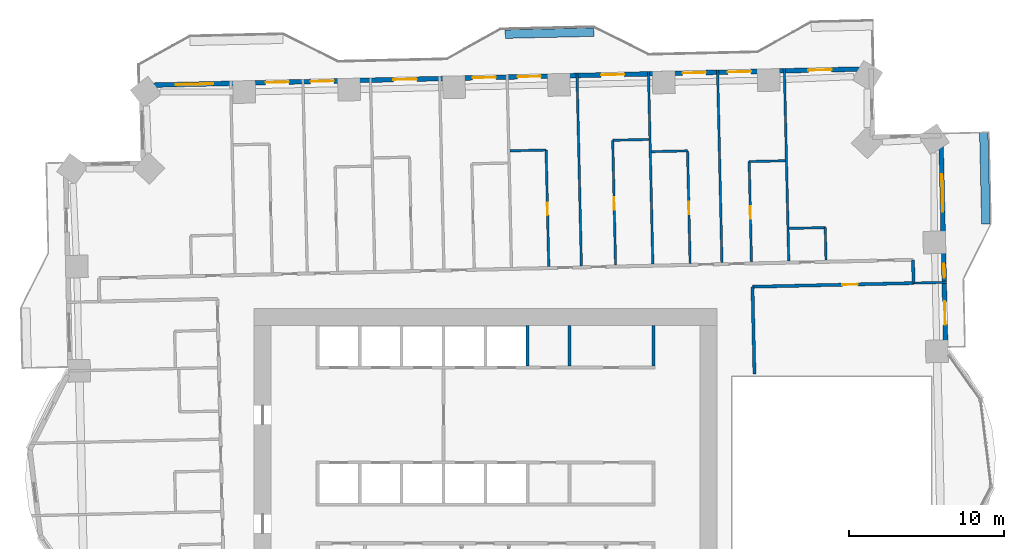
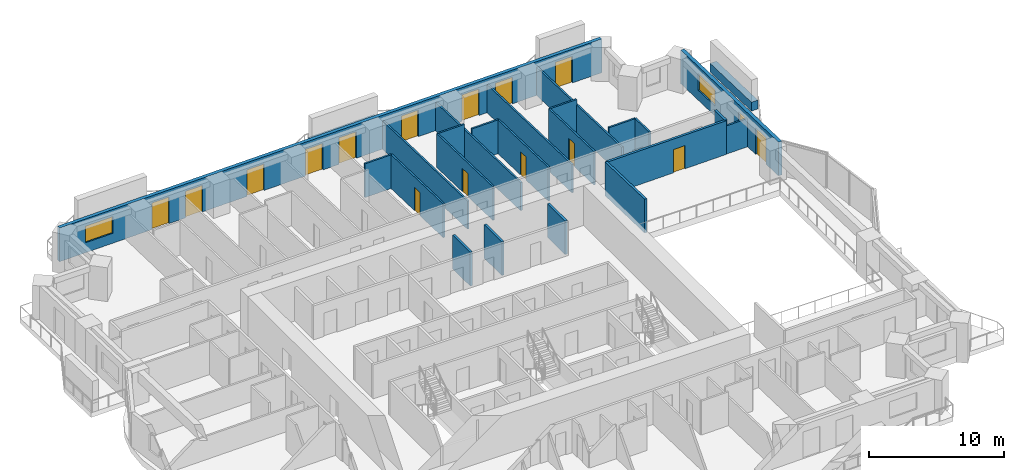
# One storey, part 12 of 17: 25 walls, 15 doors, 3 windows, 18 openings.
"""IFC4 building model written with IfcOpenShell, lengths in metres."""

from ifc_helpers import new_model, si_unit, direction, frame, frame_2d, origin, place, context, subcontext, project, spatial, rectangle, extrude, material, layer, layer_set, type_object, element, fill, save


model = new_model("IFC4")

# Units and contexts
model_context = context("Model", 3, precision=1e-05, world=origin(), true_north=direction((0.0, 1.0)))
body_context = subcontext(model_context, "Body", "Model", "MODEL_VIEW")
ifc_project = project(units=[si_unit("LENGTHUNIT", "METRE"), si_unit("AREAUNIT", "SQUARE_METRE"), si_unit("VOLUMEUNIT", "CUBIC_METRE"), si_unit("PLANEANGLEUNIT", "RADIAN"), si_unit("MASSUNIT", "GRAM", prefix="KILO")], contexts=[model_context])

# Site, building, storey
site_placement = place(None, origin())
site = spatial("IfcSite", under=ifc_project, at=site_placement, CompositionType="ELEMENT")
building_placement = place(site_placement, origin())
building = spatial("IfcBuilding", under=site, at=building_placement, Name="Mangrove Gate Tower", CompositionType="ELEMENT")
storey_placement = place(building_placement, frame((0.0, 0.0, 86.5)))
storey = spatial("IfcBuildingStorey", under=building, at=storey_placement, Name="L21", CompositionType="ELEMENT", Elevation=86.5)

# Walls
ifc_material_1 = material(Name="Concrete C32/40", Category="concrete")
ifc_layer_1 = layer(ifc_material_1, 0.199951171875)
ifc_layer_set_1 = layer_set([ifc_layer_1], Name="Core room wall 200 C32/40")
wall_type_1 = type_object("IfcWallType", Name="Core room wall 200 C32/40", PredefinedType="STANDARD", material=ifc_layer_set_1)
for number, where, z_axis, x_axis, name in (
    (1, (5.39990234375, 8.199951171875, 0.0), (0.0, 0.0, 1.0), (0.0, 1.0, 0.0), "WALL-L21-CORE-33"),
    (2, (10.800048828125, 8.199951171875, 0.0), (0.0, 0.0, 1.0), (0.0, 1.0, 0.0), "WALL-L21-CORE-34"),
):
    element("IfcWall", number, at=place(storey_placement, frame(where, z_axis=z_axis, x_axis=x_axis)), inside=storey, type_object=wall_type_1, Name=name, PredefinedType="STANDARD", context=body_context, shape_type="SweptSolid", body=[
        extrude(rectangle(XDim=2.60009765625, YDim=0.199951171875, at=frame_2d((1.300048828125, 0.0))), origin(), (0.0, 0.0, 1.0), 3.050048828125),
    ])
ifc_material_2 = material(Name="Concrete C70/85", Category="concrete")
ifc_layer_2 = layer(ifc_material_2, 0.199951171875)
ifc_layer_set_2 = layer_set([ifc_layer_2], Name="Core shaft wall 200 C70/85")
wall_type_2 = type_object("IfcWallType", Name="Core shaft wall 200 C70/85", PredefinedType="SHEAR", material=ifc_layer_set_2)
wall_1_placement = place(storey_placement, frame((2.699951171875, 8.199951171875, 0.0), z_axis=(0.0, 0.0, 1.0), x_axis=(0.0, 1.0, 0.0)))
element("IfcWall", 3, at=wall_1_placement, inside=storey, type_object=wall_type_2, Name="WALL-L21-CORE-32", PredefinedType="SHEAR", context=body_context, shape_type="SweptSolid", body=[
    extrude(rectangle(XDim=2.60009765625, YDim=0.199951171875, at=frame_2d((1.300048828125, 0.0))), origin(), (0.0, 0.0, 1.0), 3.050048828125),
])
ifc_material_3 = material(Name="Gypsum board on steel stud, EI 60", Category="steel")
ifc_layer_3 = layer(ifc_material_3, 0.199951171875)
ifc_layer_set_3 = layer_set([ifc_layer_3], Name="Corridor wall EI 60")
wall_type_3 = type_object("IfcWallType", Name="Corridor wall EI 60", PredefinedType="PARTITIONING", material=ifc_layer_set_3)
wall_2_placement = place(storey_placement, frame((17.306884765625, 7.68603515625, 0.0), z_axis=(0.0, 0.0, 1.0), x_axis=(-0.022584272568, 0.999744942789, 0.0)))
element("IfcWall", 4, at=wall_2_placement, inside=storey, type_object=wall_type_3, Name="WALL-L21-051", PredefinedType="PARTITIONING", context=body_context, shape_type="SweptSolid", body=[
    extrude(rectangle(XDim=5.621337890625, YDim=0.199951171875, at=frame_2d((2.810546875, 0.0))), origin(), (0.0, 0.0, 1.0), 3.050048828125),
])

# Wall, opening, door
wall_3_placement = place(storey_placement, frame((17.176025390625, 13.305908203125, 0.0), z_axis=(0.0, 0.0, 1.0), x_axis=(0.999741057438, 0.022755616292, 0.0)))
wall_3 = element("IfcWall", 5, at=wall_3_placement, inside=storey, type_object=wall_type_3, Name="WALL-L21-058", PredefinedType="PARTITIONING", context=body_context, shape_type="SweptSolid", body=[
    extrude(rectangle(XDim=10.374755859375, YDim=0.199951171875, at=frame_2d((5.1875, 0.0))), origin(), (0.0, 0.0, 1.0), 3.050048828125),
])
opening_1_placement = place(wall_3_placement, frame((5.782958984375, 0.0, 0.0)))
opening_1 = element("IfcOpeningElement", 6, at=opening_1_placement, cuts=wall_3, Name="Opening AD", PredefinedType="OPENING", context=body_context, shape_type="SweptSolid", body=[
    extrude(rectangle(XDim=1.0, YDim=2.10009765625, at=frame_2d((0.5, 1.050048828125))), frame((0.0, 0.10986328125, 0.0), z_axis=(0.0, -1.0, 0.0), x_axis=(1.0, 0.0, 0.0)), (0.0, 0.0, 1.0), 0.219970703125),
])
ifc_material_4 = material(Name="Timber door leaf", Category="wood")
door_type_1 = type_object("IfcDoorType", Name="Amenity door 1000", OperationType="SINGLE_SWING_LEFT", PredefinedType="DOOR", material=ifc_material_4)
door_1_placement = place(opening_1_placement, origin())
door_1 = element("IfcDoor", 7, at=door_1_placement, inside=storey, type_object=door_type_1, Name="DOOR-L21-LNG-c3a", OperationType="SINGLE_SWING_RIGHT", OverallHeight=2.10009765625, OverallWidth=1.0, PredefinedType="DOOR", context=body_context, shape_type="SweptSolid", body=[
    extrude(rectangle(XDim=1.0, YDim=2.10009765625, at=frame_2d((0.5, 1.050048828125))), frame((0.0, 0.02490234375, 0.0), z_axis=(0.0, -1.0, 0.0), x_axis=(1.0, 0.0, 0.0)), (0.0, 0.0, 1.0), 0.050048828125),
])
fill(opening_1, door_1)

# Wall
wall_4_placement = place(storey_placement, frame((27.547119140625, 13.5419921875, 0.0), z_axis=(0.0, 0.0, 1.0), x_axis=(-0.02279537805, 0.999740151609, 0.0)))
element("IfcWall", 8, at=wall_4_placement, inside=storey, type_object=wall_type_3, Name="WALL-L21-059", PredefinedType="PARTITIONING", context=body_context, shape_type="SweptSolid", body=[
    extrude(rectangle(XDim=1.49951171875, YDim=0.199951171875, at=frame_2d((0.749755859375, 0.0))), origin(), (0.0, 0.0, 1.0), 3.050048828125),
])

# Wall, openings, door, windows
ifc_material_5 = material(Name="Limestone", Category="masonry")
ifc_layer_4 = layer(ifc_material_5, 0.0400390625, Name="Limestone cladding")
ifc_material_6 = material(Name="Ventilated air gap")
ifc_layer_5 = layer(ifc_material_6, 0.0400390625, Name="Ventilated cavity")
ifc_material_7 = material(Name="Mineral wool insulation")
ifc_layer_6 = layer(ifc_material_7, 0.06005859375, Name="Insulation")
ifc_material_8 = material(Name="Breather membrane")
ifc_layer_7 = layer(ifc_material_8, 0.001953125, Name="Breather membrane")
ifc_material_9 = material(Name="Concrete C20/25 blockwork", Category="masonry")
ifc_layer_8 = layer(ifc_material_9, 0.14990234375, Name="Blockwork backing wall")
ifc_material_10 = material(Name="Gypsum plaster")
ifc_layer_9 = layer(ifc_material_10, 0.008056640625, Name="Internal plaster")
ifc_layer_set_4 = layer_set([ifc_layer_4, ifc_layer_5, ifc_layer_6, ifc_layer_7, ifc_layer_8, ifc_layer_9], Name="External wall 300 limestone cladding")
wall_type_4 = type_object("IfcWallType", Name="External wall 300 limestone cladding", PredefinedType="SOLIDWALL", material=ifc_layer_set_4)
wall_5_placement = place(storey_placement, frame((29.6240234375, 9.10791015625, 0.0), z_axis=(0.0, 0.0, 1.0), x_axis=(-0.022679601751, 0.999742784752, 0.0)))
wall_5 = element("IfcWall", 9, at=wall_5_placement, inside=storey, type_object=wall_type_4, Name="WALL-L21-E2", PredefinedType="SOLIDWALL", context=body_context, shape_type="SweptSolid", body=[
    extrude(rectangle(XDim=13.9296875, YDim=0.300048828125, at=frame_2d((6.96484375, 0.0))), origin(), (0.0, 0.0, 1.0), 3.050048828125),
])
opening_2_placement = place(wall_5_placement, frame((1.75390625, 0.0, 0.0)))
opening_2 = element("IfcOpeningElement", 10, at=opening_2_placement, cuts=wall_5, Name="Opening BD1", PredefinedType="OPENING", context=body_context, shape_type="SweptSolid", body=[
    extrude(rectangle(XDim=1.5, YDim=2.39990234375, at=frame_2d((0.75, 1.199951171875))), frame((0.0, 0.159912109375, 0.0), z_axis=(0.0, -1.0, 0.0), x_axis=(1.0, 0.0, 0.0)), (0.0, 0.0, 1.0), 0.320068359375),
])
opening_3_placement = place(wall_5_placement, frame((4.780029296875, 0.0, 0.89990234375)))
opening_3 = element("IfcOpeningElement", 11, at=opening_3_placement, cuts=wall_5, Name="Opening W5", PredefinedType="OPENING", context=body_context, shape_type="SweptSolid", body=[
    extrude(rectangle(XDim=0.89990234375, YDim=1.5, at=frame_2d((0.449951171875, 0.75))), frame((0.0, 0.159912109375, 0.0), z_axis=(0.0, -1.0, 0.0), x_axis=(1.0, 0.0, 0.0)), (0.0, 0.0, 1.0), 0.320068359375),
])
opening_4_placement = place(wall_5_placement, frame((9.04296875, 0.0, 0.89990234375)))
opening_4 = element("IfcOpeningElement", 12, at=opening_4_placement, cuts=wall_5, Name="Opening W2", PredefinedType="OPENING", context=body_context, shape_type="SweptSolid", body=[
    extrude(rectangle(XDim=2.39990234375, YDim=1.5, at=frame_2d((1.199951171875, 0.75))), frame((0.0, 0.159912109375, 0.0), z_axis=(0.0, -1.0, 0.0), x_axis=(1.0, 0.0, 0.0)), (0.0, 0.0, 1.0), 0.320068359375),
])
ifc_material_11 = material(Name="Aluminium frame with laminated clear glass", Category="aluminium")
door_type_2 = type_object("IfcDoorType", Name="Balcony sliding door 1500x2400", OperationType="SLIDING_TO_LEFT", PredefinedType="DOOR", material=ifc_material_11)
door_2_placement = place(opening_2_placement, origin())
door_2 = element("IfcDoor", 13, at=door_2_placement, inside=storey, type_object=door_type_2, Name="DOOR-L21-E2-1", OperationType="SLIDING_TO_LEFT", OverallHeight=2.39990234375, OverallWidth=1.5, PredefinedType="DOOR", context=body_context, shape_type="SweptSolid", body=[
    extrude(rectangle(XDim=1.5, YDim=2.39990234375, at=frame_2d((0.75, 1.199951171875))), frame((0.0, 0.02490234375, 0.0), z_axis=(0.0, -1.0, 0.0), x_axis=(1.0, 0.0, 0.0)), (0.0, 0.0, 1.0), 0.050048828125),
])
fill(opening_2, door_2)
ifc_material_12 = material(Name="Aluminium frame with double-glazed low-e glass", Category="aluminium")
window_type_1 = type_object("IfcWindowType", Name="Corner room window 2400x1500", PartitioningType="DOUBLE_PANEL_VERTICAL", PredefinedType="WINDOW", material=ifc_material_12)
window_1_placement = place(opening_4_placement, origin())
window_1 = element("IfcWindow", 14, at=window_1_placement, inside=storey, type_object=window_type_1, Name="WIN-L21-E2-3", OverallHeight=1.5, OverallWidth=2.39990234375, PartitioningType="DOUBLE_PANEL_VERTICAL", PredefinedType="WINDOW", context=body_context, shape_type="SweptSolid", body=[
    extrude(rectangle(XDim=2.39990234375, YDim=1.5, at=frame_2d((1.199951171875, 0.75))), frame((0.0, 0.030029296875, 0.0), z_axis=(0.0, -1.0, 0.0), x_axis=(1.0, 0.0, 0.0)), (0.0, 0.0, 1.0), 0.06005859375),
])
fill(opening_4, window_1)
ifc_material_13 = material(Name="Aluminium frame with double-glazed low-e glass", Category="aluminium")
window_type_2 = type_object("IfcWindowType", Name="Narrow window 900x1500", PartitioningType="SINGLE_PANEL", PredefinedType="WINDOW", material=ifc_material_13)
window_2_placement = place(opening_3_placement, origin())
window_2 = element("IfcWindow", 15, at=window_2_placement, inside=storey, type_object=window_type_2, Name="WIN-L21-E2-2", OverallHeight=1.5, OverallWidth=0.89990234375, PartitioningType="SINGLE_PANEL", PredefinedType="WINDOW", context=body_context, shape_type="SweptSolid", body=[
    extrude(rectangle(XDim=0.89990234375, YDim=1.5, at=frame_2d((0.449951171875, 0.75))), frame((0.0, 0.030029296875, 0.0), z_axis=(0.0, -1.0, 0.0), x_axis=(1.0, 0.0, 0.0)), (0.0, 0.0, 1.0), 0.06005859375),
])
fill(opening_3, window_2)

# Wall, openings, doors, window
wall_6_placement = place(storey_placement, frame((24.80908203125, 27.3330078125, 0.0), z_axis=(0.0, 0.0, 1.0), x_axis=(-0.999742489858, -0.022692597327, 0.0)))
wall_6 = element("IfcWall", 16, at=wall_6_placement, inside=storey, type_object=wall_type_4, Name="WALL-L21-N5", PredefinedType="SOLIDWALL", context=body_context, shape_type="SweptSolid", body=[
    extrude(rectangle(XDim=46.97216796875, YDim=0.300048828125, at=frame_2d((23.486083984375, 0.0))), origin(), (0.0, 0.0, 1.0), 3.050048828125),
])
opening_5_placement = place(wall_6_placement, frame((2.535888671875, 0.0, 0.0)))
opening_5 = element("IfcOpeningElement", 17, at=opening_5_placement, cuts=wall_6, Name="Opening BD1", PredefinedType="OPENING", context=body_context, shape_type="SweptSolid", body=[
    extrude(rectangle(XDim=1.5, YDim=2.39990234375, at=frame_2d((0.75, 1.199951171875))), frame((0.0, 0.159912109375, 0.0), z_axis=(0.0, -1.0, 0.0), x_axis=(1.0, 0.0, 0.0)), (0.0, 0.0, 1.0), 0.320068359375),
])
opening_6_placement = place(wall_6_placement, frame((7.72607421875, 0.0, 0.0)))
opening_6 = element("IfcOpeningElement", 18, at=opening_6_placement, cuts=wall_6, Name="Opening BD1", PredefinedType="OPENING", context=body_context, shape_type="SweptSolid", body=[
    extrude(rectangle(XDim=1.5, YDim=2.39990234375, at=frame_2d((0.75, 1.199951171875))), frame((0.0, 0.159912109375, 0.0), z_axis=(0.0, -1.0, 0.0), x_axis=(1.0, 0.0, 0.0)), (0.0, 0.0, 1.0), 0.320068359375),
])
opening_7_placement = place(wall_6_placement, frame((10.626953125, 0.0, 0.0)))
opening_7 = element("IfcOpeningElement", 19, at=opening_7_placement, cuts=wall_6, Name="Opening BD1", PredefinedType="OPENING", context=body_context, shape_type="SweptSolid", body=[
    extrude(rectangle(XDim=1.5, YDim=2.39990234375, at=frame_2d((0.75, 1.199951171875))), frame((0.0, 0.159912109375, 0.0), z_axis=(0.0, -1.0, 0.0), x_axis=(1.0, 0.0, 0.0)), (0.0, 0.0, 1.0), 0.320068359375),
])
opening_8_placement = place(wall_6_placement, frame((15.8720703125, 0.0, 0.0)))
opening_8 = element("IfcOpeningElement", 20, at=opening_8_placement, cuts=wall_6, Name="Opening BD1", PredefinedType="OPENING", context=body_context, shape_type="SweptSolid", body=[
    extrude(rectangle(XDim=1.5, YDim=2.39990234375, at=frame_2d((0.75, 1.199951171875))), frame((0.0, 0.159912109375, 0.0), z_axis=(0.0, -1.0, 0.0), x_axis=(1.0, 0.0, 0.0)), (0.0, 0.0, 1.0), 0.320068359375),
])
opening_9_placement = place(wall_6_placement, frame((21.2529296875, 0.0, 0.0)))
opening_9 = element("IfcOpeningElement", 21, at=opening_9_placement, cuts=wall_6, Name="Opening BD1", PredefinedType="OPENING", context=body_context, shape_type="SweptSolid", body=[
    extrude(rectangle(XDim=1.5, YDim=2.39990234375, at=frame_2d((0.75, 1.199951171875))), frame((0.0, 0.159912109375, 0.0), z_axis=(0.0, -1.0, 0.0), x_axis=(1.0, 0.0, 0.0)), (0.0, 0.0, 1.0), 0.320068359375),
])
opening_10_placement = place(wall_6_placement, frame((24.155029296875, 0.0, 0.0)))
opening_10 = element("IfcOpeningElement", 22, at=opening_10_placement, cuts=wall_6, Name="Opening BD1", PredefinedType="OPENING", context=body_context, shape_type="SweptSolid", body=[
    extrude(rectangle(XDim=1.5, YDim=2.39990234375, at=frame_2d((0.75, 1.199951171875))), frame((0.0, 0.159912109375, 0.0), z_axis=(0.0, -1.0, 0.0), x_axis=(1.0, 0.0, 0.0)), (0.0, 0.0, 1.0), 0.320068359375),
])
opening_11_placement = place(wall_6_placement, frame((29.2470703125, 0.0, 0.0)))
opening_11 = element("IfcOpeningElement", 23, at=opening_11_placement, cuts=wall_6, Name="Opening BD1", PredefinedType="OPENING", context=body_context, shape_type="SweptSolid", body=[
    extrude(rectangle(XDim=1.5, YDim=2.39990234375, at=frame_2d((0.75, 1.199951171875))), frame((0.0, 0.159912109375, 0.0), z_axis=(0.0, -1.0, 0.0), x_axis=(1.0, 0.0, 0.0)), (0.0, 0.0, 1.0), 0.320068359375),
])
opening_12_placement = place(wall_6_placement, frame((34.5810546875, 0.0, 0.0)))
opening_12 = element("IfcOpeningElement", 24, at=opening_12_placement, cuts=wall_6, Name="Opening BD1", PredefinedType="OPENING", context=body_context, shape_type="SweptSolid", body=[
    extrude(rectangle(XDim=1.5, YDim=2.39990234375, at=frame_2d((0.75, 1.199951171875))), frame((0.0, 0.159912109375, 0.0), z_axis=(0.0, -1.0, 0.0), x_axis=(1.0, 0.0, 0.0)), (0.0, 0.0, 1.0), 0.320068359375),
])
opening_13_placement = place(wall_6_placement, frame((37.48291015625, 0.0, 0.0)))
opening_13 = element("IfcOpeningElement", 25, at=opening_13_placement, cuts=wall_6, Name="Opening BD1", PredefinedType="OPENING", context=body_context, shape_type="SweptSolid", body=[
    extrude(rectangle(XDim=1.5, YDim=2.39990234375, at=frame_2d((0.75, 1.199951171875))), frame((0.0, 0.159912109375, 0.0), z_axis=(0.0, -1.0, 0.0), x_axis=(1.0, 0.0, 0.0)), (0.0, 0.0, 1.0), 0.320068359375),
])
opening_14_placement = place(wall_6_placement, frame((42.35009765625, 0.0, 0.89990234375)))
opening_14 = element("IfcOpeningElement", 26, at=opening_14_placement, cuts=wall_6, Name="Opening W2", PredefinedType="OPENING", context=body_context, shape_type="SweptSolid", body=[
    extrude(rectangle(XDim=2.39990234375, YDim=1.5, at=frame_2d((1.199951171875, 0.75))), frame((0.0, 0.159912109375, 0.0), z_axis=(0.0, -1.0, 0.0), x_axis=(1.0, 0.0, 0.0)), (0.0, 0.0, 1.0), 0.320068359375),
])
door_3_placement = place(opening_5_placement, origin())
door_3 = element("IfcDoor", 27, at=door_3_placement, inside=storey, type_object=door_type_2, Name="DOOR-L21-N5-1", OperationType="SLIDING_TO_LEFT", OverallHeight=2.39990234375, OverallWidth=1.5, PredefinedType="DOOR", context=body_context, shape_type="SweptSolid", body=[
    extrude(rectangle(XDim=1.5, YDim=2.39990234375, at=frame_2d((0.75, 1.199951171875))), frame((0.0, 0.02490234375, 0.0), z_axis=(0.0, -1.0, 0.0), x_axis=(1.0, 0.0, 0.0)), (0.0, 0.0, 1.0), 0.050048828125),
])
fill(opening_5, door_3)
door_4_placement = place(opening_6_placement, origin())
door_4 = element("IfcDoor", 28, at=door_4_placement, inside=storey, type_object=door_type_2, Name="DOOR-L21-N5-2", OperationType="SLIDING_TO_LEFT", OverallHeight=2.39990234375, OverallWidth=1.5, PredefinedType="DOOR", context=body_context, shape_type="SweptSolid", body=[
    extrude(rectangle(XDim=1.5, YDim=2.39990234375, at=frame_2d((0.75, 1.199951171875))), frame((0.0, 0.02490234375, 0.0), z_axis=(0.0, -1.0, 0.0), x_axis=(1.0, 0.0, 0.0)), (0.0, 0.0, 1.0), 0.050048828125),
])
fill(opening_6, door_4)
door_5_placement = place(opening_7_placement, origin())
door_5 = element("IfcDoor", 29, at=door_5_placement, inside=storey, type_object=door_type_2, Name="DOOR-L21-N5-3", OperationType="SLIDING_TO_LEFT", OverallHeight=2.39990234375, OverallWidth=1.5, PredefinedType="DOOR", context=body_context, shape_type="SweptSolid", body=[
    extrude(rectangle(XDim=1.5, YDim=2.39990234375, at=frame_2d((0.75, 1.199951171875))), frame((0.0, 0.02490234375, 0.0), z_axis=(0.0, -1.0, 0.0), x_axis=(1.0, 0.0, 0.0)), (0.0, 0.0, 1.0), 0.050048828125),
])
fill(opening_7, door_5)
door_6_placement = place(opening_8_placement, origin())
door_6 = element("IfcDoor", 30, at=door_6_placement, inside=storey, type_object=door_type_2, Name="DOOR-L21-N5-4", OperationType="SLIDING_TO_LEFT", OverallHeight=2.39990234375, OverallWidth=1.5, PredefinedType="DOOR", context=body_context, shape_type="SweptSolid", body=[
    extrude(rectangle(XDim=1.5, YDim=2.39990234375, at=frame_2d((0.75, 1.199951171875))), frame((0.0, 0.02490234375, 0.0), z_axis=(0.0, -1.0, 0.0), x_axis=(1.0, 0.0, 0.0)), (0.0, 0.0, 1.0), 0.050048828125),
])
fill(opening_8, door_6)
door_7_placement = place(opening_9_placement, origin())
door_7 = element("IfcDoor", 31, at=door_7_placement, inside=storey, type_object=door_type_2, Name="DOOR-L21-N5-5", OperationType="SLIDING_TO_LEFT", OverallHeight=2.39990234375, OverallWidth=1.5, PredefinedType="DOOR", context=body_context, shape_type="SweptSolid", body=[
    extrude(rectangle(XDim=1.5, YDim=2.39990234375, at=frame_2d((0.75, 1.199951171875))), frame((0.0, 0.02490234375, 0.0), z_axis=(0.0, -1.0, 0.0), x_axis=(1.0, 0.0, 0.0)), (0.0, 0.0, 1.0), 0.050048828125),
])
fill(opening_9, door_7)
door_8_placement = place(opening_10_placement, origin())
door_8 = element("IfcDoor", 32, at=door_8_placement, inside=storey, type_object=door_type_2, Name="DOOR-L21-N5-6", OperationType="SLIDING_TO_LEFT", OverallHeight=2.39990234375, OverallWidth=1.5, PredefinedType="DOOR", context=body_context, shape_type="SweptSolid", body=[
    extrude(rectangle(XDim=1.5, YDim=2.39990234375, at=frame_2d((0.75, 1.199951171875))), frame((0.0, 0.02490234375, 0.0), z_axis=(0.0, -1.0, 0.0), x_axis=(1.0, 0.0, 0.0)), (0.0, 0.0, 1.0), 0.050048828125),
])
fill(opening_10, door_8)
door_9_placement = place(opening_11_placement, origin())
door_9 = element("IfcDoor", 33, at=door_9_placement, inside=storey, type_object=door_type_2, Name="DOOR-L21-N5-7", OperationType="SLIDING_TO_LEFT", OverallHeight=2.39990234375, OverallWidth=1.5, PredefinedType="DOOR", context=body_context, shape_type="SweptSolid", body=[
    extrude(rectangle(XDim=1.5, YDim=2.39990234375, at=frame_2d((0.75, 1.199951171875))), frame((0.0, 0.02490234375, 0.0), z_axis=(0.0, -1.0, 0.0), x_axis=(1.0, 0.0, 0.0)), (0.0, 0.0, 1.0), 0.050048828125),
])
fill(opening_11, door_9)
door_10_placement = place(opening_12_placement, origin())
door_10 = element("IfcDoor", 34, at=door_10_placement, inside=storey, type_object=door_type_2, Name="DOOR-L21-N5-8", OperationType="SLIDING_TO_LEFT", OverallHeight=2.39990234375, OverallWidth=1.5, PredefinedType="DOOR", context=body_context, shape_type="SweptSolid", body=[
    extrude(rectangle(XDim=1.5, YDim=2.39990234375, at=frame_2d((0.75, 1.199951171875))), frame((0.0, 0.02490234375, 0.0), z_axis=(0.0, -1.0, 0.0), x_axis=(1.0, 0.0, 0.0)), (0.0, 0.0, 1.0), 0.050048828125),
])
fill(opening_12, door_10)
door_11_placement = place(opening_13_placement, origin())
door_11 = element("IfcDoor", 35, at=door_11_placement, inside=storey, type_object=door_type_2, Name="DOOR-L21-N5-9", OperationType="SLIDING_TO_LEFT", OverallHeight=2.39990234375, OverallWidth=1.5, PredefinedType="DOOR", context=body_context, shape_type="SweptSolid", body=[
    extrude(rectangle(XDim=1.5, YDim=2.39990234375, at=frame_2d((0.75, 1.199951171875))), frame((0.0, 0.02490234375, 0.0), z_axis=(0.0, -1.0, 0.0), x_axis=(1.0, 0.0, 0.0)), (0.0, 0.0, 1.0), 0.050048828125),
])
fill(opening_13, door_11)
window_3_placement = place(opening_14_placement, origin())
window_3 = element("IfcWindow", 36, at=window_3_placement, inside=storey, type_object=window_type_1, Name="WIN-L21-N5-10", OverallHeight=1.5, OverallWidth=2.39990234375, PartitioningType="DOUBLE_PANEL_VERTICAL", PredefinedType="WINDOW", context=body_context, shape_type="SweptSolid", body=[
    extrude(rectangle(XDim=2.39990234375, YDim=1.5, at=frame_2d((1.199951171875, 0.75))), frame((0.0, 0.030029296875, 0.0), z_axis=(0.0, -1.0, 0.0), x_axis=(1.0, 0.0, 0.0)), (0.0, 0.0, 1.0), 0.06005859375),
])
fill(opening_14, window_3)

# Wall
ifc_material_14 = material(Name="Gypsum board on steel stud, EI 60", Category="steel")
ifc_layer_10 = layer(ifc_material_14, 0.14990234375)
ifc_layer_set_5 = layer_set([ifc_layer_10], Name="Party wall 150 EI 60")
wall_type_5 = type_object("IfcWallType", Name="Party wall 150 EI 60", PredefinedType="PARTITIONING", material=ifc_layer_set_5)
wall_7_placement = place(storey_placement, frame((27.548095703125, 13.5419921875, 0.0), z_axis=(0.0, 0.0, 1.0), x_axis=(0.999743730464, 0.022637875276, 0.0)))
element("IfcWall", 37, at=wall_7_placement, inside=storey, type_object=wall_type_5, Name="WALL-L21-060", PredefinedType="PARTITIONING", context=body_context, shape_type="SweptSolid", body=[
    extrude(rectangle(XDim=2.12451171875, YDim=0.14990234375, at=frame_2d((1.062255859375, 0.0))), origin(), (0.0, 0.0, 1.0), 2.550048828125),
])

# Wall, opening, door
wall_8_placement = place(storey_placement, frame((4.06689453125, 14.60888671875, 0.0), z_axis=(0.0, 0.0, 1.0), x_axis=(-0.022786475911, 0.99974035455, 0.0)))
wall_8 = element("IfcWall", 38, at=wall_8_placement, inside=storey, type_object=wall_type_5, Name="WALL-L21-072", PredefinedType="PARTITIONING", context=body_context, shape_type="SweptSolid", body=[
    extrude(rectangle(XDim=7.5, YDim=0.14990234375, at=frame_2d((3.75, 0.0))), origin(), (0.0, 0.0, 1.0), 3.050048828125),
])
opening_15_placement = place(wall_8_placement, frame((3.300048828125, 0.0, 0.0)))
opening_15 = element("IfcOpeningElement", 39, at=opening_15_placement, cuts=wall_8, Name="Opening ED", PredefinedType="OPENING", context=body_context, shape_type="SweptSolid", body=[
    extrude(rectangle(XDim=0.800048828125, YDim=2.10009765625, at=frame_2d((0.39990234375, 1.050048828125))), frame((0.0, 0.0849609375, 0.0), z_axis=(0.0, -1.0, 0.0), x_axis=(1.0, 0.0, 0.0)), (0.0, 0.0, 1.0), 0.169921875),
])
ifc_material_15 = material(Name="Timber door leaf", Category="wood")
door_type_3 = type_object("IfcDoorType", Name="En-suite door 800", OperationType="SINGLE_SWING_LEFT", PredefinedType="DOOR", material=ifc_material_15)
door_12_placement = place(opening_15_placement, origin())
door_12 = element("IfcDoor", 40, at=door_12_placement, inside=storey, type_object=door_type_3, Name="DOOR-L21-ENS-c412", OperationType="SINGLE_SWING_RIGHT", OverallHeight=2.10009765625, OverallWidth=0.800048828125, PredefinedType="DOOR", context=body_context, shape_type="SweptSolid", body=[
    extrude(rectangle(XDim=0.800048828125, YDim=2.10009765625, at=frame_2d((0.39990234375, 1.050048828125))), frame((0.0, 0.02490234375, 0.0), z_axis=(0.0, -1.0, 0.0), x_axis=(1.0, 0.0, 0.0)), (0.0, 0.0, 1.0), 0.050048828125),
])
fill(opening_15, door_12)

# Wall
wall_9_placement = place(storey_placement, frame((6.166015625, 14.656982421875, 0.0), z_axis=(0.0, 0.0, 1.0), x_axis=(-0.022661475803, 0.999743195783, 0.0)))
element("IfcWall", 41, at=wall_9_placement, inside=storey, type_object=wall_type_5, Name="WALL-L21-073", PredefinedType="PARTITIONING", context=body_context, shape_type="SweptSolid", body=[
    extrude(rectangle(XDim=12.400146484375, YDim=0.14990234375, at=frame_2d((6.2001953125, 0.0))), origin(), (0.0, 0.0, 1.0), 2.550048828125),
])

# Wall, opening, door
wall_10_placement = place(storey_placement, frame((8.365966796875, 14.70703125, 0.0), z_axis=(0.0, 0.0, 1.0), x_axis=(-0.022771820566, 0.999740688473, 0.0)))
wall_10 = element("IfcWall", 42, at=wall_10_placement, inside=storey, type_object=wall_type_5, Name="WALL-L21-074", PredefinedType="PARTITIONING", context=body_context, shape_type="SweptSolid", body=[
    extrude(rectangle(XDim=8.0302734375, YDim=0.14990234375, at=frame_2d((4.01513671875, 0.0))), origin(), (0.0, 0.0, 1.0), 3.050048828125),
])
opening_16_placement = place(wall_10_placement, frame((3.56494140625, 0.0, 0.0)))
opening_16 = element("IfcOpeningElement", 43, at=opening_16_placement, cuts=wall_10, Name="Opening ED", PredefinedType="OPENING", context=body_context, shape_type="SweptSolid", body=[
    extrude(rectangle(XDim=0.800048828125, YDim=2.10009765625, at=frame_2d((0.39990234375, 1.050048828125))), frame((0.0, 0.0849609375, 0.0), z_axis=(0.0, -1.0, 0.0), x_axis=(1.0, 0.0, 0.0)), (0.0, 0.0, 1.0), 0.169921875),
])
door_13_placement = place(opening_16_placement, origin())
door_13 = element("IfcDoor", 44, at=door_13_placement, inside=storey, type_object=door_type_3, Name="DOOR-L21-ENS-c411", OperationType="SINGLE_SWING_LEFT", OverallHeight=2.10009765625, OverallWidth=0.800048828125, PredefinedType="DOOR", context=body_context, shape_type="SweptSolid", body=[
    extrude(rectangle(XDim=0.800048828125, YDim=2.10009765625, at=frame_2d((0.39990234375, 1.050048828125))), frame((0.0, 0.02490234375, 0.0), z_axis=(0.0, -1.0, 0.0), x_axis=(1.0, 0.0, 0.0)), (0.0, 0.0, 1.0), 0.050048828125),
])
fill(opening_16, door_13)

# Wall
wall_11_placement = place(storey_placement, frame((10.764892578125, 14.760986328125, 0.0), z_axis=(0.0, 0.0, 1.0), x_axis=(-0.022661475803, 0.999743195783, 0.0)))
element("IfcWall", 45, at=wall_11_placement, inside=storey, type_object=wall_type_5, Name="WALL-L21-075", PredefinedType="PARTITIONING", context=body_context, shape_type="SweptSolid", body=[
    extrude(rectangle(XDim=12.400146484375, YDim=0.14990234375, at=frame_2d((6.2001953125, 0.0))), origin(), (0.0, 0.0, 1.0), 2.550048828125),
])

# Wall, opening, door
wall_12_placement = place(storey_placement, frame((13.1640625, 14.81591796875, 0.0), z_axis=(0.0, 0.0, 1.0), x_axis=(-0.022660891034, 0.999743209038, 0.0)))
wall_12 = element("IfcWall", 46, at=wall_12_placement, inside=storey, type_object=wall_type_5, Name="WALL-L21-076", PredefinedType="PARTITIONING", context=body_context, shape_type="SweptSolid", body=[
    extrude(rectangle(XDim=7.239990234375, YDim=0.14990234375, at=frame_2d((3.6201171875, 0.0))), origin(), (0.0, 0.0, 1.0), 3.050048828125),
])
opening_17_placement = place(wall_12_placement, frame((3.169921875, 0.0, 0.0)))
opening_17 = element("IfcOpeningElement", 47, at=opening_17_placement, cuts=wall_12, Name="Opening ED", PredefinedType="OPENING", context=body_context, shape_type="SweptSolid", body=[
    extrude(rectangle(XDim=0.800048828125, YDim=2.10009765625, at=frame_2d((0.39990234375, 1.050048828125))), frame((0.0, 0.0849609375, 0.0), z_axis=(0.0, -1.0, 0.0), x_axis=(1.0, 0.0, 0.0)), (0.0, 0.0, 1.0), 0.169921875),
])
door_14_placement = place(opening_17_placement, origin())
door_14 = element("IfcDoor", 48, at=door_14_placement, inside=storey, type_object=door_type_3, Name="DOOR-L21-ENS-c310", OperationType="SINGLE_SWING_RIGHT", OverallHeight=2.10009765625, OverallWidth=0.800048828125, PredefinedType="DOOR", context=body_context, shape_type="SweptSolid", body=[
    extrude(rectangle(XDim=0.800048828125, YDim=2.10009765625, at=frame_2d((0.39990234375, 1.050048828125))), frame((0.0, 0.02490234375, 0.0), z_axis=(0.0, -1.0, 0.0), x_axis=(1.0, 0.0, 0.0)), (0.0, 0.0, 1.0), 0.050048828125),
])
fill(opening_17, door_14)

# Wall
wall_13_placement = place(storey_placement, frame((15.214111328125, 14.862060546875, 0.0), z_axis=(0.0, 0.0, 1.0), x_axis=(-0.022759867473, 0.999740960666, 0.0)))
element("IfcWall", 49, at=wall_13_placement, inside=storey, type_object=wall_type_5, Name="WALL-L21-077", PredefinedType="PARTITIONING", context=body_context, shape_type="SweptSolid", body=[
    extrude(rectangle(XDim=12.400146484375, YDim=0.14990234375, at=frame_2d((6.2001953125, 0.0))), origin(), (0.0, 0.0, 1.0), 2.550048828125),
])

# Wall, opening, door
wall_14_placement = place(storey_placement, frame((17.113037109375, 14.905029296875, 0.0), z_axis=(0.0, 0.0, 1.0), x_axis=(-0.022597796078, 0.999744637201, 0.0)))
wall_14 = element("IfcWall", 50, at=wall_14_placement, inside=storey, type_object=wall_type_5, Name="WALL-L21-078", PredefinedType="PARTITIONING", context=body_context, shape_type="SweptSolid", body=[
    extrude(rectangle(XDim=6.460693359375, YDim=0.14990234375, at=frame_2d((3.23046875, 0.0))), origin(), (0.0, 0.0, 1.0), 3.050048828125),
])
opening_18_placement = place(wall_14_placement, frame((2.780029296875, 0.0, 0.0)))
opening_18 = element("IfcOpeningElement", 51, at=opening_18_placement, cuts=wall_14, Name="Opening ED", PredefinedType="OPENING", context=body_context, shape_type="SweptSolid", body=[
    extrude(rectangle(XDim=0.800048828125, YDim=2.10009765625, at=frame_2d((0.39990234375, 1.050048828125))), frame((0.0, 0.0849609375, 0.0), z_axis=(0.0, -1.0, 0.0), x_axis=(1.0, 0.0, 0.0)), (0.0, 0.0, 1.0), 0.169921875),
])
door_15_placement = place(opening_18_placement, origin())
door_15 = element("IfcDoor", 52, at=door_15_placement, inside=storey, type_object=door_type_3, Name="DOOR-L21-ENS-c309", OperationType="SINGLE_SWING_LEFT", OverallHeight=2.10009765625, OverallWidth=0.800048828125, PredefinedType="DOOR", context=body_context, shape_type="SweptSolid", body=[
    extrude(rectangle(XDim=0.800048828125, YDim=2.10009765625, at=frame_2d((0.39990234375, 1.050048828125))), frame((0.0, 0.02490234375, 0.0), z_axis=(0.0, -1.0, 0.0), x_axis=(1.0, 0.0, 0.0)), (0.0, 0.0, 1.0), 0.050048828125),
])
fill(opening_18, door_15)

# Walls
wall_15_placement = place(storey_placement, frame((19.512939453125, 14.9599609375, 0.0), z_axis=(0.0, 0.0, 1.0), x_axis=(-0.022740189192, 0.999741408463, 0.0)))
element("IfcWall", 53, at=wall_15_placement, inside=storey, type_object=wall_type_5, Name="WALL-L21-079", PredefinedType="PARTITIONING", context=body_context, shape_type="SweptSolid", body=[
    extrude(rectangle(XDim=12.400146484375, YDim=0.14990234375, at=frame_2d((6.2001953125, 0.0))), origin(), (0.0, 0.0, 1.0), 2.550048828125),
])
wall_16_placement = place(storey_placement, frame((21.912109375, 15.013916015625, 0.0), z_axis=(0.0, 0.0, 1.0), x_axis=(-0.022895647347, 0.999737860308, 0.0)))
element("IfcWall", 54, at=wall_16_placement, inside=storey, type_object=wall_type_5, Name="WALL-L21-080", PredefinedType="PARTITIONING", context=body_context, shape_type="SweptSolid", body=[
    extrude(rectangle(XDim=2.1005859375, YDim=0.14990234375, at=frame_2d((1.05029296875, 0.0))), origin(), (0.0, 0.0, 1.0), 3.050048828125),
])
for number, where, z_axis, x_axis, name in (
    (55, (19.5439453125, 17.06103515625, 0.0), (0.0, 0.0, 1.0), (0.999740260747, 0.02279059109, 0.0), "WALL-L21-081"),
    (56, (16.970947265625, 21.364013671875, 0.0), (0.0, 0.0, 1.0), (0.999740260747, 0.02279059109, 0.0), "WALL-L21-083"),
    (57, (10.679931640625, 22.0009765625, 0.0), (0.0, 0.0, 1.0), (0.999740260747, 0.02279059109, 0.0), "WALL-L21-087"),
    (58, (1.575927734375, 22.054931640625, 0.0), (0.0, 0.0, 1.0), (0.999749744571, 0.022370700241, 0.0), "WALL-L21-088"),
):
    element("IfcWall", number, at=place(storey_placement, frame(where, z_axis=z_axis, x_axis=x_axis)), inside=storey, type_object=wall_type_5, Name=name, PredefinedType="PARTITIONING", context=body_context, shape_type="SweptSolid", body=[
        extrude(rectangle(XDim=2.324462890625, YDim=0.14990234375, at=frame_2d((1.162109375, 0.0))), origin(), (0.0, 0.0, 1.0), 3.050048828125),
    ])
wall_17_placement = place(storey_placement, frame((8.18701171875, 22.735107421875, 0.0), z_axis=(0.0, 0.0, 1.0), x_axis=(0.999740478815, 0.022781023197, 0.0)))
element("IfcWall", 59, at=wall_17_placement, inside=storey, type_object=wall_type_5, Name="WALL-L21-089", PredefinedType="PARTITIONING", context=body_context, shape_type="SweptSolid", body=[
    extrude(rectangle(XDim=2.325439453125, YDim=0.14990234375, at=frame_2d((1.16259765625, 0.0))), origin(), (0.0, 0.0, 1.0), 3.050048828125),
])
ifc_material_16 = material(Name="Concrete C32/40", Category="concrete")
ifc_layer_11 = layer(ifc_material_16, 0.199951171875, Name="Planter trough wall")
ifc_material_17 = material(Name="Bituminous waterproofing membrane")
ifc_layer_12 = layer(ifc_material_17, 0.0048828125, Name="Waterproofing")
ifc_material_18 = material(Name="Drainage board and gravel")
ifc_layer_13 = layer(ifc_material_18, 0.044921875, Name="Drainage layer")
ifc_material_19 = material(Name="Planting soil")
ifc_layer_14 = layer(ifc_material_19, 0.300048828125, Name="Growing medium")
ifc_layer_set_6 = layer_set([ifc_layer_11, ifc_layer_12, ifc_layer_13, ifc_layer_14], Name="Planter wall 550 C32/40")
wall_type_6 = type_object("IfcWallType", Name="Planter wall 550 C32/40", PredefinedType="USERDEFINED", material=ifc_layer_set_6)
wall_18_placement = place(storey_placement, frame((32.202880859375, 17.34912109375, 0.0), z_axis=(0.0, 0.0, 1.0), x_axis=(-0.02267816309, 0.999742817388, 0.0)))
element("IfcWall", 60, at=wall_18_placement, inside=storey, type_object=wall_type_6, Name="PLANTER L21 E1.1", ObjectType="PLANTER", PredefinedType="USERDEFINED", context=body_context, shape_type="SweptSolid", body=[
    extrude(rectangle(XDim=5.8994140625, YDim=0.550048828125, at=frame_2d((2.94970703125, 0.0))), origin(), (0.0, 0.0, 1.0), 0.800048828125),
])
wall_19_placement = place(storey_placement, frame((1.26611328125, 29.56494140625, 0.0), z_axis=(0.0, 0.0, 1.0), x_axis=(0.999743314836, 0.022656223003, 0.0)))
element("IfcWall", 61, at=wall_19_placement, inside=storey, type_object=wall_type_6, Name="PLANTER L21 N0.1", ObjectType="PLANTER", PredefinedType="USERDEFINED", context=body_context, shape_type="SweptSolid", body=[
    extrude(rectangle(XDim=5.700439453125, YDim=0.550048828125, at=frame_2d((2.85009765625, 0.0))), origin(), (0.0, 0.0, 1.0), 0.800048828125),
])

save(model, "model.ifc")
